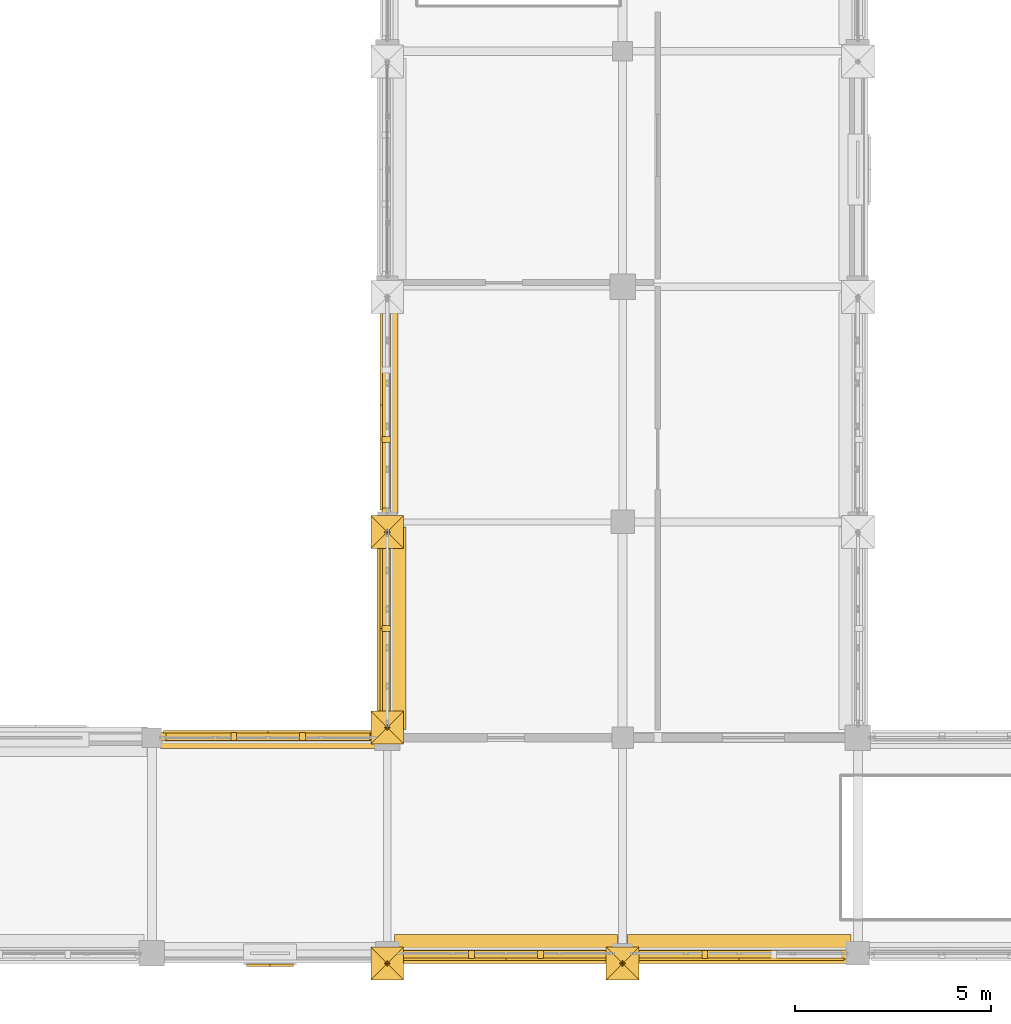
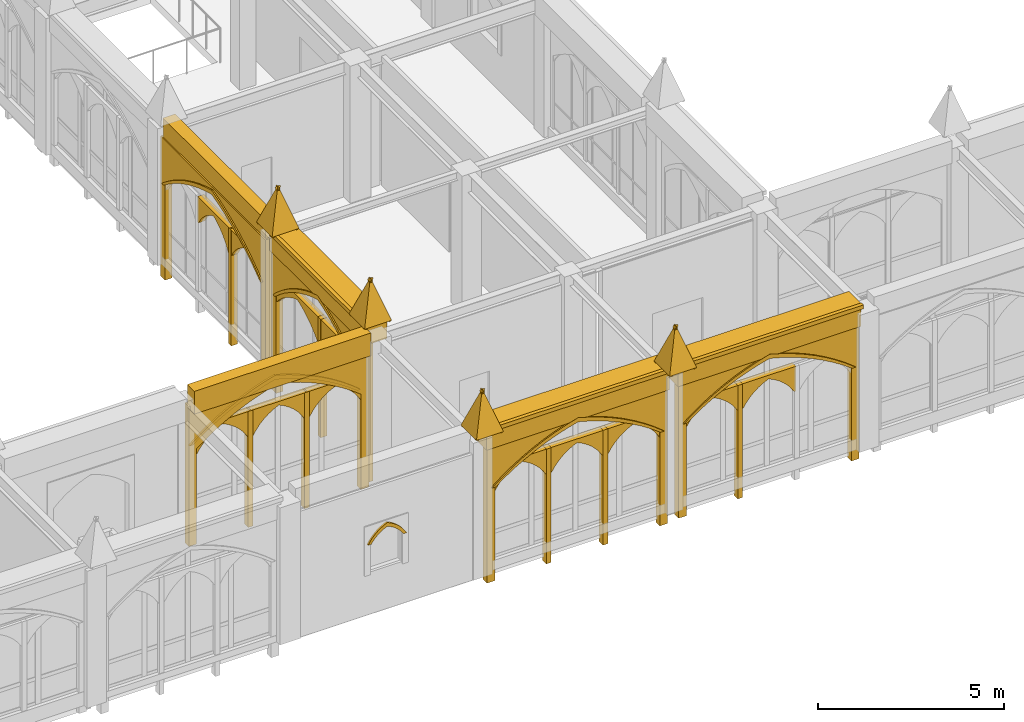
# One storey, part 117 of 143: 54 coverings.
"""IFC4 building model written with IfcOpenShell, lengths in metres."""

from ifc_helpers import new_model, si_unit, direction, frame, origin, origin_2d, place, context, subcontext, project, spatial, polyline, rectangle, outline, extrude, material, type_object, element, save


model = new_model("IFC4")

# Units and contexts
model_context = context("Model", 3, precision=1e-05, world=origin(), true_north=direction((0.0, 1.0)))
body_context = subcontext(model_context, "Body", "Model", "MODEL_VIEW")
ifc_project = project(units=[si_unit("LENGTHUNIT", "METRE"), si_unit("AREAUNIT", "SQUARE_METRE"), si_unit("VOLUMEUNIT", "CUBIC_METRE"), si_unit("PLANEANGLEUNIT", "RADIAN"), si_unit("MASSUNIT", "GRAM", prefix="KILO")], contexts=[model_context])

# Site, building, storey
site_placement = place(None, origin())
site = spatial("IfcSite", under=ifc_project, at=site_placement, CompositionType="ELEMENT")
building_placement = place(site_placement, origin())
building = spatial("IfcBuilding", under=site, at=building_placement, Name="Cumevento Cable Car Station", CompositionType="ELEMENT")
storey_placement = place(building_placement, frame((0.0, 0.0, 9.0)))
storey = spatial("IfcBuildingStorey", under=building, at=storey_placement, Name="L03", CompositionType="ELEMENT", Elevation=9.0)

# Coverings
ifc_material = material(Name="Gnaisse Facoidal Stone Ashlar 85 MPa", Category="masonry")
covering_type = type_object("IfcCoveringType", Name="Gnaisse Ashlar Cladding CV-CL01", PredefinedType="CLADDING", material=ifc_material)
for number, where, z_axis, x_axis, name in (
    (1, (57.580078125, 4.159912109375, 4.8701171875), (0.0, 0.951573760476, 0.30742052367), (1.0, 0.0, 0.0), "Gothic Buttress Pinnacle Spire Facet 1 bt:58.0:4.0"),
    (2, (58.419921875, 4.159912109375, 4.8701171875), (0.951573760476, 0.0, 0.30742052367), (0.0, -1.0, 0.0), "Gothic Buttress Pinnacle Spire Facet 2 bt:58.0:4.0"),
    (3, (58.419921875, 3.320068359375, 4.8701171875), (0.0, -0.951573760476, 0.30742052367), (-1.0, 0.0, 0.0), "Gothic Buttress Pinnacle Spire Facet 3 bt:58.0:4.0"),
    (4, (57.580078125, 3.320068359375, 4.8701171875), (-0.951573760476, 0.0, 0.30742052367), (0.0, 1.0, 0.0), "Gothic Buttress Pinnacle Spire Facet 4 bt:58.0:4.0"),
    (5, (58.419921875, 9.340087890625, 4.8701171875), (0.0, -0.951573760476, 0.30742052367), (-1.0, 0.0, 0.0), "Gothic Buttress Pinnacle Spire Facet 1 bt:58.0:9.5"),
    (6, (57.580078125, 9.340087890625, 4.8701171875), (-0.951573760476, 0.0, 0.30742052367), (0.0, 1.0, 0.0), "Gothic Buttress Pinnacle Spire Facet 2 bt:58.0:9.5"),
    (7, (57.580078125, 10.179931640625, 4.8701171875), (0.0, 0.951573760476, 0.30742052367), (1.0, 0.0, 0.0), "Gothic Buttress Pinnacle Spire Facet 3 bt:58.0:9.5"),
    (8, (58.419921875, 10.179931640625, 4.8701171875), (0.951573760476, 0.0, 0.30742052367), (0.0, -1.0, 0.0), "Gothic Buttress Pinnacle Spire Facet 4 bt:58.0:9.5"),
    (9, (57.580078125, 15.159912109375, 4.8701171875), (0.0, 0.951573760476, 0.30742052367), (1.0, 0.0, 0.0), "Gothic Buttress Pinnacle Spire Facet 1 bt:58.0:15.0"),
    (10, (58.419921875, 15.159912109375, 4.8701171875), (0.951573760476, 0.0, 0.30742052367), (0.0, -1.0, 0.0), "Gothic Buttress Pinnacle Spire Facet 2 bt:58.0:15.0"),
    (11, (58.419921875, 14.320068359375, 4.8701171875), (0.0, -0.951573760476, 0.30742052367), (-1.0, 0.0, 0.0), "Gothic Buttress Pinnacle Spire Facet 3 bt:58.0:15.0"),
    (12, (57.580078125, 14.320068359375, 4.8701171875), (-0.951573760476, 0.0, 0.30742052367), (0.0, 1.0, 0.0), "Gothic Buttress Pinnacle Spire Facet 4 bt:58.0:15.0"),
    (13, (63.580078125, 4.159912109375, 4.8701171875), (0.0, 0.951573760476, 0.30742052367), (1.0, 0.0, 0.0), "Gothic Buttress Pinnacle Spire Facet 1 bt:64.0:4.0"),
    (14, (64.419921875, 4.159912109375, 4.8701171875), (0.951573760476, 0.0, 0.30742052367), (0.0, -1.0, 0.0), "Gothic Buttress Pinnacle Spire Facet 2 bt:64.0:4.0"),
    (15, (64.419921875, 3.320068359375, 4.8701171875), (0.0, -0.951573760476, 0.30742052367), (-1.0, 0.0, 0.0), "Gothic Buttress Pinnacle Spire Facet 3 bt:64.0:4.0"),
    (16, (63.580078125, 3.320068359375, 4.8701171875), (-0.951573760476, 0.0, 0.30742052367), (0.0, 1.0, 0.0), "Gothic Buttress Pinnacle Spire Facet 4 bt:64.0:4.0"),
):
    element("IfcCovering", number, at=place(storey_placement, frame(where, z_axis=z_axis, x_axis=x_axis)), inside=storey, type_object=covering_type, Name=name, PredefinedType="CLADDING", context=body_context, shape_type="SweptSolid", body=[
        extrude(outline(polyline([(0.0, 0.0), (0.83984375, 0.0), (0.419921875, -1.3659526370817139), (0.0, 0.0)])), origin(), (0.0, 0.0, -1.0), 0.0849609375),
    ])
covering_1_placement = place(storey_placement, frame((61.02490234375, 4.14990234375, 4.032958984375), z_axis=(0.0, 0.0, 1.0), x_axis=(-1.0, 0.0, 0.0)))
element("IfcCovering", 17, at=covering_1_placement, inside=storey, type_object=covering_type, Name="Gothic Stone Spandrel Stringcourse sc:0593", PredefinedType="CLADDING", context=body_context, shape_type="SweptSolid", body=[
    extrude(rectangle(XDim=5.68994140625, YDim=0.659912109375, at=origin_2d()), origin(), (0.0, 0.0, 1.0), 0.7470703125),
])
covering_2_placement = place(storey_placement, frame((61.02490234375, 3.79248046875, 4.650146484375), z_axis=(0.0, 0.0, 1.0), x_axis=(-1.0, 0.0, 0.0)))
element("IfcCovering", 18, at=covering_2_placement, inside=storey, type_object=covering_type, Name="Gothic Cornice Dripstone Lip sc:0593", PredefinedType="CLADDING", context=body_context, shape_type="SweptSolid", body=[
    extrude(rectangle(XDim=5.72998046875, YDim=0.114990234375, at=origin_2d()), origin(), (0.0, 0.0, 1.0), 0.1298828125),
])
covering_3_placement = place(storey_placement, frame((66.97509765625, 4.14990234375, 4.032958984375), z_axis=(0.0, 0.0, 1.0), x_axis=(-1.0, 0.0, 0.0)))
element("IfcCovering", 19, at=covering_3_placement, inside=storey, type_object=covering_type, Name="Gothic Stone Spandrel Stringcourse sc:0594", PredefinedType="CLADDING", context=body_context, shape_type="SweptSolid", body=[
    extrude(rectangle(XDim=5.68994140625, YDim=0.659912109375, at=origin_2d()), origin(), (0.0, 0.0, 1.0), 0.7470703125),
])
covering_4_placement = place(storey_placement, frame((66.97509765625, 3.79248046875, 4.650146484375), z_axis=(0.0, 0.0, 1.0), x_axis=(-1.0, 0.0, 0.0)))
element("IfcCovering", 20, at=covering_4_placement, inside=storey, type_object=covering_type, Name="Gothic Cornice Dripstone Lip sc:0594", PredefinedType="CLADDING", context=body_context, shape_type="SweptSolid", body=[
    extrude(rectangle(XDim=5.72998046875, YDim=0.114990234375, at=origin_2d()), origin(), (0.0, 0.0, 1.0), 0.1298828125),
])
covering_5_placement = place(storey_placement, frame((54.96240234375, 9.409912109375, 4.032958984375), z_axis=(0.0, 0.0, 1.0), x_axis=(1.0, 0.0, 0.0)))
element("IfcCovering", 21, at=covering_5_placement, inside=storey, type_object=covering_type, Name="Gothic Stone Spandrel Stringcourse sc:0598", PredefinedType="CLADDING", context=body_context, shape_type="SweptSolid", body=[
    extrude(rectangle(XDim=5.485107421875, YDim=0.3798828125, at=origin_2d()), origin(), (0.0, 0.0, 1.0), 0.7470703125),
])
covering_6_placement = place(storey_placement, frame((58.14990234375, 12.28759765625, 4.032958984375), z_axis=(0.0, 0.0, 1.0), x_axis=(0.0, 1.0, 0.0)))
element("IfcCovering", 22, at=covering_6_placement, inside=storey, type_object=covering_type, Name="Gothic Stone Spandrel Stringcourse sc:0602", PredefinedType="CLADDING", context=body_context, shape_type="SweptSolid", body=[
    extrude(rectangle(XDim=5.1650390625, YDim=0.659912109375, at=origin_2d()), origin(), (0.0, 0.0, 1.0), 0.7470703125),
])
covering_7_placement = place(storey_placement, frame((57.79248046875, 12.28759765625, 4.650146484375), z_axis=(0.0, 0.0, 1.0), x_axis=(0.0, 1.0, 0.0)))
element("IfcCovering", 23, at=covering_7_placement, inside=storey, type_object=covering_type, Name="Gothic Cornice Dripstone Lip sc:0602", PredefinedType="CLADDING", context=body_context, shape_type="SweptSolid", body=[
    extrude(rectangle(XDim=5.205078125, YDim=0.114990234375, at=origin_2d()), origin(), (0.0, 0.0, 1.0), 0.1298828125),
])
covering_8_placement = place(storey_placement, frame((58.090087890625, 17.987548828125, 4.032958984375), z_axis=(0.0, 0.0, 1.0), x_axis=(0.0, 1.0, 0.0)))
element("IfcCovering", 24, at=covering_8_placement, inside=storey, type_object=covering_type, Name="Gothic Stone Spandrel Stringcourse sc:0603", PredefinedType="CLADDING", context=body_context, shape_type="SweptSolid", body=[
    extrude(rectangle(XDim=5.534912109375, YDim=0.3798828125, at=origin_2d()), origin(), (0.0, 0.0, 1.0), 0.7470703125),
])
placement_1 = place(storey_placement, frame((52.25, 9.5, -0.419921875), z_axis=(0.0, 0.0, 1.0), x_axis=(1.0, 0.0, 0.0)))
element("IfcCovering", 25, at=placement_1, inside=storey, type_object=covering_type, Name="Gothic Ogival Pointed-Arch Stone Spandrel cw_ogival:0074", PredefinedType="CLADDING", context=body_context, shape_type="SweptSolid", body=[
    extrude(outline(polyline([(-0.080078125, 0.0), (-0.080078125, 4.593017578125), (5.5048828125, 4.593017578125), (5.5048828125, 0.0), (5.264892578125, 0.0), (5.264892578125, 3.133056640625), (4.978271484375, 3.347900390625), (4.680419921875, 3.547607421875), (4.37255859375, 3.73095703125), (4.055419921875, 3.898193359375), (3.72998046875, 4.048095703125), (3.39697265625, 4.180908203125), (3.0576171875, 4.2958984375), (2.71240234375, 4.39306640625), (2.367431640625, 4.2958984375), (2.028076171875, 4.180908203125), (1.695068359375, 4.048095703125), (1.36962890625, 3.898193359375), (1.052490234375, 3.73095703125), (0.74462890625, 3.547607421875), (0.44677734375, 3.347900390625), (0.159912109375, 3.133056640625), (0.159912109375, 0.0), (-0.080078125, 0.0)])), frame((0.0, 0.139892578125, 0.0), z_axis=(0.0, -1.0, 0.0), x_axis=(1.0, 0.0, 0.0)), (0.0, 0.0, 1.0), 0.219970703125),
])
covering_10_placement = place(storey_placement, frame((52.25, 9.5, 2.713134765625), z_axis=(0.0, 0.0, 1.0), x_axis=(1.0, 0.0, 0.0)))
element("IfcCovering", 26, at=covering_10_placement, inside=storey, type_object=covering_type, Name="Gothic Pointed Archivolt Hood Moulding cw_ogival:0074", PredefinedType="CLADDING", context=body_context, shape_type="SweptSolid", body=[
    extrude(outline(polyline([(0.159912109375, 0.0), (0.44677734375, 0.21484375), (0.74462890625, 0.41455078125), (1.052490234375, 0.597900390625), (1.36962890625, 0.76513671875), (1.695068359375, 0.9150390625), (2.028076171875, 1.0478515625), (2.367431640625, 1.162841796875), (2.71240234375, 1.260009765625), (3.0576171875, 1.162841796875), (3.39697265625, 1.0478515625), (3.72998046875, 0.9150390625), (4.055419921875, 0.76513671875), (4.37255859375, 0.597900390625), (4.680419921875, 0.41455078125), (4.978271484375, 0.21484375), (5.264892578125, 0.0), (5.375, 0.0), (5.079833984375, 0.237548828125), (4.77197265625, 0.45849609375), (4.452392578125, 0.661865234375), (4.121826171875, 0.847412109375), (3.781494140625, 1.013916015625), (3.432373046875, 1.16162109375), (3.07568359375, 1.28955078125), (2.71240234375, 1.3974609375), (2.349365234375, 1.28955078125), (1.99267578125, 1.16162109375), (1.6435546875, 1.013916015625), (1.30322265625, 0.847412109375), (0.97265625, 0.661865234375), (0.653076171875, 0.45849609375), (0.34521484375, 0.237548828125), (0.050048828125, 0.0), (0.159912109375, 0.0)])), frame((0.0, 0.181884765625, 0.0), z_axis=(0.0, -1.0, 0.0), x_axis=(1.0, 0.0, 0.0)), (0.0, 0.0, 1.0), 0.06689453125),
])
element("IfcCovering", 27, at=placement_1, inside=storey, type_object=covering_type, Name="Gothic Bifora Stone Colonnette cw_ogival:0074 #1", PredefinedType="CLADDING", context=body_context, shape_type="SweptSolid", body=[
    extrude(outline(polyline([(1.76171875, -0.02001953125), (1.91162109375, -0.02001953125), (1.91162109375, 3.7880859375), (1.76171875, 3.7880859375), (1.76171875, -0.02001953125)])), frame((0.0, 0.1279296875, 0.0), z_axis=(0.0, -1.0, 0.0), x_axis=(1.0, 0.0, 0.0)), (0.0, 0.0, 1.0), 0.205078125),
])
element("IfcCovering", 28, at=placement_1, inside=storey, type_object=covering_type, Name="Gothic Bifora Stone Colonnette cw_ogival:0074 #2", PredefinedType="CLADDING", context=body_context, shape_type="SweptSolid", body=[
    extrude(outline(polyline([(3.513427734375, -0.02001953125), (3.663330078125, -0.02001953125), (3.663330078125, 3.7880859375), (3.513427734375, 3.7880859375), (3.513427734375, -0.02001953125)])), frame((0.0, 0.1279296875, 0.0), z_axis=(0.0, -1.0, 0.0), x_axis=(1.0, 0.0, 0.0)), (0.0, 0.0, 1.0), 0.205078125),
])
for number, where, z_axis, x_axis, name in (
    (29, (52.3798828125, 9.5, 2.533203125), (0.0, 0.0, 1.0), (1.0, 0.0, 0.0), "Gothic Ogival Pointed-Arch Stone Spandrel cw_ogival:0074:sub:0"),
    (30, (54.131591796875, 9.5, 2.533203125), (0.0, 0.0, 1.0), (1.0, 0.0, 0.0), "Gothic Ogival Pointed-Arch Stone Spandrel cw_ogival:0074:sub:1"),
    (31, (55.88330078125, 9.5, 2.533203125), (0.0, 0.0, 1.0), (1.0, 0.0, 0.0), "Gothic Ogival Pointed-Arch Stone Spandrel cw_ogival:0074:sub:2"),
):
    element("IfcCovering", number, at=place(storey_placement, frame(where, z_axis=z_axis, x_axis=x_axis)), inside=storey, type_object=covering_type, Name=name, PredefinedType="CLADDING", context=body_context, shape_type="SweptSolid", body=[
        extrude(outline(polyline([(-0.02001953125, 0.0), (-0.02001953125, 0.835205078125), (1.681640625, 0.835205078125), (1.681640625, 0.0), (1.62158203125, 0.0), (1.5263671875, 0.154052734375), (1.41455078125, 0.296142578125), (1.287353515625, 0.425048828125), (1.146240234375, 0.538818359375), (0.99365234375, 0.6357421875), (0.830810546875, 0.715087890625), (0.66796875, 0.6357421875), (0.515380859375, 0.538818359375), (0.374267578125, 0.425048828125), (0.2470703125, 0.296142578125), (0.13525390625, 0.154052734375), (0.0400390625, 0.0), (-0.02001953125, 0.0)])), frame((0.0, 0.1240234375, 0.0), z_axis=(0.0, -1.0, 0.0), x_axis=(1.0, 0.0, 0.0)), (0.0, 0.0, 1.0), 0.199951171875),
    ])
placement_2 = place(storey_placement, frame((63.75, 4.0, -0.3701171875), z_axis=(0.0, 0.0, 1.0), x_axis=(-1.0, 0.0, 0.0)))
element("IfcCovering", 32, at=placement_2, inside=storey, type_object=covering_type, Name="Gothic Ogival Pointed-Arch Stone Spandrel cw_ogival:0075", PredefinedType="CLADDING", context=body_context, shape_type="SweptSolid", body=[
    extrude(outline(polyline([(-0.080078125, 0.0), (-0.080078125, 4.54296875), (5.530029296875, 4.54296875), (5.530029296875, 0.0), (5.2900390625, 0.0), (5.2900390625, 3.10107421875), (5.00048828125, 3.313232421875), (4.70068359375, 3.510009765625), (4.390869140625, 3.69091796875), (4.072021484375, 3.85546875), (3.7451171875, 4.00341796875), (3.4111328125, 4.13427734375), (3.07080078125, 4.24755859375), (2.72509765625, 4.343017578125), (2.379150390625, 4.24755859375), (2.038818359375, 4.13427734375), (1.704833984375, 4.00341796875), (1.3779296875, 3.85546875), (1.05908203125, 3.69091796875), (0.749267578125, 3.510009765625), (0.449462890625, 3.313232421875), (0.159912109375, 3.10107421875), (0.159912109375, 0.0), (-0.080078125, 0.0)])), frame((0.0, 0.139892578125, 0.0), z_axis=(0.0, -1.0, 0.0), x_axis=(1.0, 0.0, 0.0)), (0.0, 0.0, 1.0), 0.219970703125),
])
covering_14_placement = place(storey_placement, frame((63.75, 4.0, 2.731201171875), z_axis=(0.0, 0.0, 1.0), x_axis=(-1.0, 0.0, 0.0)))
element("IfcCovering", 33, at=covering_14_placement, inside=storey, type_object=covering_type, Name="Gothic Pointed Archivolt Hood Moulding cw_ogival:0075", PredefinedType="CLADDING", context=body_context, shape_type="SweptSolid", body=[
    extrude(outline(polyline([(0.159912109375, 0.0), (0.449462890625, 0.212158203125), (0.749267578125, 0.408935546875), (1.05908203125, 0.58984375), (1.3779296875, 0.75439453125), (1.704833984375, 0.90234375), (2.038818359375, 1.033203125), (2.379150390625, 1.146484375), (2.72509765625, 1.241943359375), (3.07080078125, 1.146484375), (3.4111328125, 1.033203125), (3.7451171875, 0.90234375), (4.072021484375, 0.75439453125), (4.390869140625, 0.58984375), (4.70068359375, 0.408935546875), (5.00048828125, 0.212158203125), (5.2900390625, 0.0), (5.39990234375, 0.0), (5.102294921875, 0.23486328125), (4.7919921875, 0.452880859375), (4.470458984375, 0.65380859375), (4.13818359375, 0.836669921875), (3.796630859375, 1.001220703125), (3.446533203125, 1.146728515625), (3.0888671875, 1.27294921875), (2.72509765625, 1.37939453125), (2.361083984375, 1.27294921875), (2.00341796875, 1.146728515625), (1.6533203125, 1.001220703125), (1.311767578125, 0.836669921875), (0.9794921875, 0.65380859375), (0.657958984375, 0.452880859375), (0.34765625, 0.23486328125), (0.050048828125, 0.0), (0.159912109375, 0.0)])), frame((0.0, 0.181884765625, 0.0), z_axis=(0.0, -1.0, 0.0), x_axis=(1.0, 0.0, 0.0)), (0.0, 0.0, 1.0), 0.06689453125),
])
element("IfcCovering", 34, at=placement_2, inside=storey, type_object=covering_type, Name="Gothic Bifora Stone Colonnette cw_ogival:0075 #1", PredefinedType="CLADDING", context=body_context, shape_type="SweptSolid", body=[
    extrude(outline(polyline([(1.77001953125, -0.02001953125), (1.919921875, -0.02001953125), (1.919921875, 3.746826171875), (1.77001953125, 3.746826171875), (1.77001953125, -0.02001953125)])), frame((0.0, 0.1279296875, 0.0), z_axis=(0.0, -1.0, 0.0), x_axis=(1.0, 0.0, 0.0)), (0.0, 0.0, 1.0), 0.205078125),
])
element("IfcCovering", 35, at=placement_2, inside=storey, type_object=covering_type, Name="Gothic Bifora Stone Colonnette cw_ogival:0075 #2", PredefinedType="CLADDING", context=body_context, shape_type="SweptSolid", body=[
    extrude(outline(polyline([(3.530029296875, -0.02001953125), (3.679931640625, -0.02001953125), (3.679931640625, 3.746826171875), (3.530029296875, 3.746826171875), (3.530029296875, -0.02001953125)])), frame((0.0, 0.1279296875, 0.0), z_axis=(0.0, -1.0, 0.0), x_axis=(1.0, 0.0, 0.0)), (0.0, 0.0, 1.0), 0.205078125),
])
for number, where, z_axis, x_axis, name in (
    (36, (63.6201171875, 4.0, 2.551025390625), (0.0, 0.0, 1.0), (-1.0, 0.0, 0.0), "Gothic Ogival Pointed-Arch Stone Spandrel cw_ogival:0075:sub:0"),
    (37, (61.860107421875, 4.0, 2.551025390625), (0.0, 0.0, 1.0), (-1.0, 0.0, 0.0), "Gothic Ogival Pointed-Arch Stone Spandrel cw_ogival:0075:sub:1"),
    (38, (60.10009765625, 4.0, 2.551025390625), (0.0, 0.0, 1.0), (-1.0, 0.0, 0.0), "Gothic Ogival Pointed-Arch Stone Spandrel cw_ogival:0075:sub:2"),
):
    element("IfcCovering", number, at=place(storey_placement, frame(where, z_axis=z_axis, x_axis=x_axis)), inside=storey, type_object=covering_type, Name=name, PredefinedType="CLADDING", context=body_context, shape_type="SweptSolid", body=[
        extrude(outline(polyline([(-0.02001953125, 0.0), (-0.02001953125, 0.82568359375), (1.68994140625, 0.82568359375), (1.68994140625, 0.0), (1.6298828125, 0.0), (1.533203125, 0.15234375), (1.419921875, 0.292724609375), (1.2919921875, 0.419921875), (1.150634765625, 0.531982421875), (0.99755859375, 0.627685546875), (0.8349609375, 0.705810546875), (0.67236328125, 0.627685546875), (0.519287109375, 0.531982421875), (0.3779296875, 0.419921875), (0.25, 0.292724609375), (0.13671875, 0.15234375), (0.0400390625, 0.0), (-0.02001953125, 0.0)])), frame((0.0, 0.1240234375, 0.0), z_axis=(0.0, -1.0, 0.0), x_axis=(1.0, 0.0, 0.0)), (0.0, 0.0, 1.0), 0.199951171875),
    ])
placement_3 = place(storey_placement, frame((69.699951171875, 4.0, -0.320068359375), z_axis=(0.0, 0.0, 1.0), x_axis=(-1.0, 0.0, 0.0)))
element("IfcCovering", 39, at=placement_3, inside=storey, type_object=covering_type, Name="Gothic Ogival Pointed-Arch Stone Spandrel cw_ogival:0076", PredefinedType="CLADDING", context=body_context, shape_type="SweptSolid", body=[
    extrude(outline(polyline([(-0.080078125, 0.0), (-0.080078125, 4.492919921875), (5.530029296875, 4.492919921875), (5.530029296875, 0.0), (5.2900390625, 0.0), (5.2900390625, 3.069091796875), (4.999755859375, 3.2783203125), (4.69921875, 3.47216796875), (4.38916015625, 3.650634765625), (4.0703125, 3.812744140625), (3.74365234375, 3.95849609375), (3.409912109375, 4.08740234375), (3.070068359375, 4.198974609375), (2.72509765625, 4.29296875), (2.3798828125, 4.198974609375), (2.0400390625, 4.08740234375), (1.706298828125, 3.95849609375), (1.379638671875, 3.812744140625), (1.060791015625, 3.650634765625), (0.750732421875, 3.47216796875), (0.4501953125, 3.2783203125), (0.159912109375, 3.069091796875), (0.159912109375, 0.0), (-0.080078125, 0.0)])), frame((0.0, 0.139892578125, 0.0), z_axis=(0.0, -1.0, 0.0), x_axis=(1.0, 0.0, 0.0)), (0.0, 0.0, 1.0), 0.219970703125),
])
covering_18_placement = place(storey_placement, frame((69.699951171875, 4.0, 2.7490234375), z_axis=(0.0, 0.0, 1.0), x_axis=(-1.0, 0.0, 0.0)))
element("IfcCovering", 40, at=covering_18_placement, inside=storey, type_object=covering_type, Name="Gothic Pointed Archivolt Hood Moulding cw_ogival:0076", PredefinedType="CLADDING", context=body_context, shape_type="SweptSolid", body=[
    extrude(outline(polyline([(0.159912109375, 0.0), (0.4501953125, 0.209228515625), (0.750732421875, 0.403076171875), (1.060791015625, 0.58154296875), (1.379638671875, 0.74365234375), (1.706298828125, 0.889404296875), (2.0400390625, 1.018310546875), (2.3798828125, 1.1298828125), (2.72509765625, 1.223876953125), (3.070068359375, 1.1298828125), (3.409912109375, 1.018310546875), (3.74365234375, 0.889404296875), (4.0703125, 0.74365234375), (4.38916015625, 0.58154296875), (4.69921875, 0.403076171875), (4.999755859375, 0.209228515625), (5.2900390625, 0.0), (5.39990234375, 0.0), (5.101318359375, 0.23193359375), (4.79052734375, 0.447265625), (4.46875, 0.6455078125), (4.136474609375, 0.826171875), (3.794921875, 0.98828125), (3.4453125, 1.132080078125), (3.088134765625, 1.25634765625), (2.72509765625, 1.361328125), (2.36181640625, 1.25634765625), (2.004638671875, 1.132080078125), (1.655029296875, 0.98828125), (1.3134765625, 0.826171875), (0.981201171875, 0.6455078125), (0.659423828125, 0.447265625), (0.3486328125, 0.23193359375), (0.050048828125, 0.0), (0.159912109375, 0.0)])), frame((0.0, 0.181884765625, 0.0), z_axis=(0.0, -1.0, 0.0), x_axis=(1.0, 0.0, 0.0)), (0.0, 0.0, 1.0), 0.06689453125),
])
element("IfcCovering", 41, at=placement_3, inside=storey, type_object=covering_type, Name="Gothic Bifora Stone Colonnette cw_ogival:0076 #2", PredefinedType="CLADDING", context=body_context, shape_type="SweptSolid", body=[
    extrude(outline(polyline([(3.530029296875, -0.02001953125), (3.679931640625, -0.02001953125), (3.679931640625, 3.70556640625), (3.530029296875, 3.70556640625), (3.530029296875, -0.02001953125)])), frame((0.0, 0.1279296875, 0.0), z_axis=(0.0, -1.0, 0.0), x_axis=(1.0, 0.0, 0.0)), (0.0, 0.0, 1.0), 0.205078125),
])
for number, where, z_axis, x_axis, name in (
    (42, (67.81005859375, 4.0, 2.569091796875), (0.0, 0.0, 1.0), (-1.0, 0.0, 0.0), "Gothic Ogival Pointed-Arch Stone Spandrel cw_ogival:0076:sub:1"),
    (43, (66.050048828125, 4.0, 2.569091796875), (0.0, 0.0, 1.0), (-1.0, 0.0, 0.0), "Gothic Ogival Pointed-Arch Stone Spandrel cw_ogival:0076:sub:2"),
):
    element("IfcCovering", number, at=place(storey_placement, frame(where, z_axis=z_axis, x_axis=x_axis)), inside=storey, type_object=covering_type, Name=name, PredefinedType="CLADDING", context=body_context, shape_type="SweptSolid", body=[
        extrude(outline(polyline([(-0.02001953125, 0.0), (-0.02001953125, 0.81640625), (1.68994140625, 0.81640625), (1.68994140625, 0.0), (1.6298828125, 0.0), (1.5322265625, 0.150390625), (1.418701171875, 0.2890625), (1.29052734375, 0.41455078125), (1.1494140625, 0.525146484375), (0.996826171875, 0.619384765625), (0.8349609375, 0.6962890625), (0.673095703125, 0.619384765625), (0.5205078125, 0.525146484375), (0.37939453125, 0.41455078125), (0.251220703125, 0.2890625), (0.1376953125, 0.150390625), (0.0400390625, 0.0), (-0.02001953125, 0.0)])), frame((0.0, 0.1240234375, 0.0), z_axis=(0.0, -1.0, 0.0), x_axis=(1.0, 0.0, 0.0)), (0.0, 0.0, 1.0), 0.199951171875),
    ])
placement_4 = place(storey_placement, frame((58.0, 9.824951171875, -0.52001953125), z_axis=(0.0, 0.0, 1.0), x_axis=(0.0, 1.0, 0.0)))
element("IfcCovering", 44, at=placement_4, inside=storey, type_object=covering_type, Name="Gothic Ogival Pointed-Arch Stone Spandrel cw_ogival:0080", PredefinedType="CLADDING", context=body_context, shape_type="SweptSolid", body=[
    extrude(outline(polyline([(-0.080078125, 0.0), (-0.080078125, 4.693115234375), (5.0048828125, 4.693115234375), (5.0048828125, 0.0), (4.764892578125, 0.0), (4.764892578125, 3.197021484375), (4.51416015625, 3.41650390625), (4.2509765625, 3.620849609375), (3.97607421875, 3.809326171875), (3.690673828125, 3.9814453125), (3.3955078125, 4.13623046875), (3.091552734375, 4.2734375), (2.7802734375, 4.392333984375), (2.46240234375, 4.492919921875), (2.144775390625, 4.392333984375), (1.83349609375, 4.2734375), (1.529541015625, 4.13623046875), (1.234375, 3.9814453125), (0.948974609375, 3.809326171875), (0.674072265625, 3.620849609375), (0.410888671875, 3.41650390625), (0.159912109375, 3.197021484375), (0.159912109375, 0.0), (-0.080078125, 0.0)])), frame((0.0, 0.139892578125, 0.0), z_axis=(0.0, -1.0, 0.0), x_axis=(1.0, 0.0, 0.0)), (0.0, 0.0, 1.0), 0.219970703125),
])
covering_21_placement = place(storey_placement, frame((58.0, 9.824951171875, 2.677001953125), z_axis=(0.0, 0.0, 1.0), x_axis=(0.0, 1.0, 0.0)))
element("IfcCovering", 45, at=covering_21_placement, inside=storey, type_object=covering_type, Name="Gothic Pointed Archivolt Hood Moulding cw_ogival:0080", PredefinedType="CLADDING", context=body_context, shape_type="SweptSolid", body=[
    extrude(outline(polyline([(0.159912109375, 0.0), (0.410888671875, 0.219482421875), (0.674072265625, 0.423828125), (0.948974609375, 0.6123046875), (1.234375, 0.784423828125), (1.529541015625, 0.939208984375), (1.83349609375, 1.076416015625), (2.144775390625, 1.1953125), (2.46240234375, 1.2958984375), (2.7802734375, 1.1953125), (3.091552734375, 1.076416015625), (3.3955078125, 0.939208984375), (3.690673828125, 0.784423828125), (3.97607421875, 0.6123046875), (4.2509765625, 0.423828125), (4.51416015625, 0.219482421875), (4.764892578125, 0.0), (4.875, 0.0), (4.6162109375, 0.241943359375), (4.343017578125, 0.467529296875), (4.056396484375, 0.676025390625), (3.757568359375, 0.8662109375), (3.447509765625, 1.03759765625), (3.127685546875, 1.189697265625), (2.798828125, 1.32177734375), (2.46240234375, 1.433349609375), (2.126220703125, 1.32177734375), (1.79736328125, 1.189697265625), (1.4775390625, 1.03759765625), (1.16748046875, 0.8662109375), (0.86865234375, 0.676025390625), (0.58203125, 0.467529296875), (0.308837890625, 0.241943359375), (0.050048828125, 0.0), (0.159912109375, 0.0)])), frame((0.0, 0.181884765625, 0.0), z_axis=(0.0, -1.0, 0.0), x_axis=(1.0, 0.0, 0.0)), (0.0, 0.0, 1.0), 0.06689453125),
])
element("IfcCovering", 46, at=placement_4, inside=storey, type_object=covering_type, Name="Gothic Bifora Stone Colonnette cw_ogival:0080 #1", PredefinedType="CLADDING", context=body_context, shape_type="SweptSolid", body=[
    extrude(outline(polyline([(2.387451171875, -0.02001953125), (2.53759765625, -0.02001953125), (2.53759765625, 3.87109375), (2.387451171875, 3.87109375), (2.387451171875, -0.02001953125)])), frame((0.0, 0.1279296875, 0.0), z_axis=(0.0, -1.0, 0.0), x_axis=(1.0, 0.0, 0.0)), (0.0, 0.0, 1.0), 0.205078125),
])
for number, where, z_axis, x_axis, name in (
    (47, (58.0, 9.955078125, 2.4970703125), (0.0, 0.0, 1.0), (0.0, 1.0, 0.0), "Gothic Ogival Pointed-Arch Stone Spandrel cw_ogival:0080:sub:0"),
    (48, (58.0, 12.33251953125, 2.4970703125), (0.0, 0.0, 1.0), (0.0, 1.0, 0.0), "Gothic Ogival Pointed-Arch Stone Spandrel cw_ogival:0080:sub:1"),
):
    element("IfcCovering", number, at=place(storey_placement, frame(where, z_axis=z_axis, x_axis=x_axis)), inside=storey, type_object=covering_type, Name=name, PredefinedType="CLADDING", context=body_context, shape_type="SweptSolid", body=[
        extrude(outline(polyline([(-0.02001953125, 0.0), (-0.02001953125, 0.85400390625), (2.3076171875, 0.85400390625), (2.3076171875, 0.0), (2.24755859375, 0.0), (2.09375, 0.162109375), (1.926025390625, 0.309814453125), (1.74560546875, 0.44189453125), (1.553955078125, 0.55712890625), (1.35302734375, 0.65478515625), (1.143798828125, 0.73388671875), (0.9345703125, 0.65478515625), (0.733642578125, 0.55712890625), (0.5419921875, 0.44189453125), (0.361572265625, 0.309814453125), (0.19384765625, 0.162109375), (0.0400390625, 0.0), (-0.02001953125, 0.0)])), frame((0.0, 0.1240234375, 0.0), z_axis=(0.0, -1.0, 0.0), x_axis=(1.0, 0.0, 0.0)), (0.0, 0.0, 1.0), 0.199951171875),
    ])
placement_5 = place(storey_placement, frame((58.0, 15.25, -0.419921875), z_axis=(0.0, 0.0, 1.0), x_axis=(0.0, 1.0, 0.0)))
element("IfcCovering", 49, at=placement_5, inside=storey, type_object=covering_type, Name="Gothic Ogival Pointed-Arch Stone Spandrel cw_ogival:0082", PredefinedType="CLADDING", context=body_context, shape_type="SweptSolid", body=[
    extrude(outline(polyline([(-0.080078125, 0.0), (-0.080078125, 4.593017578125), (5.554931640625, 4.593017578125), (5.554931640625, 0.0), (5.31494140625, 0.0), (5.31494140625, 3.133056640625), (5.02490234375, 3.34814453125), (4.723876953125, 3.547607421875), (4.41259765625, 3.731201171875), (4.092529296875, 3.898193359375), (3.763916015625, 4.04833984375), (3.427978515625, 4.18115234375), (3.08544921875, 4.296142578125), (2.737548828125, 4.39306640625), (2.3896484375, 4.296142578125), (2.047119140625, 4.18115234375), (1.711181640625, 4.04833984375), (1.382568359375, 3.898193359375), (1.0625, 3.731201171875), (0.751220703125, 3.547607421875), (0.4501953125, 3.34814453125), (0.159912109375, 3.133056640625), (0.159912109375, 0.0), (-0.080078125, 0.0)])), frame((0.0, 0.139892578125, 0.0), z_axis=(0.0, -1.0, 0.0), x_axis=(1.0, 0.0, 0.0)), (0.0, 0.0, 1.0), 0.219970703125),
])
covering_24_placement = place(storey_placement, frame((58.0, 15.25, 2.713134765625), z_axis=(0.0, 0.0, 1.0), x_axis=(0.0, 1.0, 0.0)))
element("IfcCovering", 50, at=covering_24_placement, inside=storey, type_object=covering_type, Name="Gothic Pointed Archivolt Hood Moulding cw_ogival:0082", PredefinedType="CLADDING", context=body_context, shape_type="SweptSolid", body=[
    extrude(outline(polyline([(0.159912109375, 0.0), (0.4501953125, 0.215087890625), (0.751220703125, 0.41455078125), (1.0625, 0.59814453125), (1.382568359375, 0.76513671875), (1.711181640625, 0.915283203125), (2.047119140625, 1.048095703125), (2.3896484375, 1.1630859375), (2.737548828125, 1.260009765625), (3.08544921875, 1.1630859375), (3.427978515625, 1.048095703125), (3.763916015625, 0.915283203125), (4.092529296875, 0.76513671875), (4.41259765625, 0.59814453125), (4.723876953125, 0.41455078125), (5.02490234375, 0.215087890625), (5.31494140625, 0.0), (5.425048828125, 0.0), (5.12646484375, 0.23779296875), (4.815185546875, 0.458740234375), (4.492431640625, 0.662109375), (4.15869140625, 0.847412109375), (3.8154296875, 1.01416015625), (3.46337890625, 1.16162109375), (3.103759765625, 1.28955078125), (2.737548828125, 1.3974609375), (2.371337890625, 1.28955078125), (2.01171875, 1.16162109375), (1.65966796875, 1.01416015625), (1.31640625, 0.847412109375), (0.982666015625, 0.662109375), (0.659912109375, 0.458740234375), (0.3486328125, 0.23779296875), (0.050048828125, 0.0), (0.159912109375, 0.0)])), frame((0.0, 0.181884765625, 0.0), z_axis=(0.0, -1.0, 0.0), x_axis=(1.0, 0.0, 0.0)), (0.0, 0.0, 1.0), 0.06689453125),
])
element("IfcCovering", 51, at=placement_5, inside=storey, type_object=covering_type, Name="Gothic Bifora Stone Colonnette cw_ogival:0082 #1", PredefinedType="CLADDING", context=body_context, shape_type="SweptSolid", body=[
    extrude(outline(polyline([(1.7783203125, -0.02001953125), (1.92822265625, -0.02001953125), (1.92822265625, 3.7880859375), (1.7783203125, 3.7880859375), (1.7783203125, -0.02001953125)])), frame((0.0, 0.1279296875, 0.0), z_axis=(0.0, -1.0, 0.0), x_axis=(1.0, 0.0, 0.0)), (0.0, 0.0, 1.0), 0.205078125),
])
for number, where, z_axis, x_axis, name in (
    (52, (58.0, 15.3798828125, 2.533203125), (0.0, 0.0, 1.0), (0.0, 1.0, 0.0), "Gothic Ogival Pointed-Arch Stone Spandrel cw_ogival:0082:sub:0"),
    (53, (58.0, 17.1484375, 2.533203125), (0.0, 0.0, 1.0), (0.0, 1.0, 0.0), "Gothic Ogival Pointed-Arch Stone Spandrel cw_ogival:0082:sub:1"),
):
    element("IfcCovering", number, at=place(storey_placement, frame(where, z_axis=z_axis, x_axis=x_axis)), inside=storey, type_object=covering_type, Name=name, PredefinedType="CLADDING", context=body_context, shape_type="SweptSolid", body=[
        extrude(outline(polyline([(-0.02001953125, 0.0), (-0.02001953125, 0.835205078125), (1.6982421875, 0.835205078125), (1.6982421875, 0.0), (1.638427734375, 0.0), (1.541259765625, 0.154052734375), (1.427978515625, 0.29638671875), (1.29931640625, 0.42529296875), (1.156982421875, 0.538818359375), (1.0029296875, 0.635986328125), (0.839111328125, 0.715087890625), (0.67529296875, 0.635986328125), (0.521240234375, 0.538818359375), (0.37890625, 0.42529296875), (0.250244140625, 0.29638671875), (0.136962890625, 0.154052734375), (0.0400390625, 0.0), (-0.02001953125, 0.0)])), frame((0.0, 0.1240234375, 0.0), z_axis=(0.0, -1.0, 0.0), x_axis=(1.0, 0.0, 0.0)), (0.0, 0.0, 1.0), 0.199951171875),
    ])
covering_26_placement = place(storey_placement, frame((55.652587890625, 4.0, 2.322021484375), z_axis=(0.0, 0.0, 1.0), x_axis=(-1.0, 0.0, 0.0)))
element("IfcCovering", 54, at=covering_26_placement, inside=storey, type_object=covering_type, Name="Gothic Pointed Archivolt Hood Moulding op_ogival:0228:1", PredefinedType="CLADDING", context=body_context, shape_type="SweptSolid", body=[
    extrude(outline(polyline([(0.139892578125, 0.0), (0.193359375, 0.078125), (0.25390625, 0.151123046875), (0.320556640625, 0.21826171875), (0.393310546875, 0.27880859375), (0.47119140625, 0.332763671875), (0.5537109375, 0.379150390625), (0.639892578125, 0.41796875), (0.726318359375, 0.379150390625), (0.808837890625, 0.332763671875), (0.88671875, 0.27880859375), (0.95947265625, 0.21826171875), (1.026123046875, 0.151123046875), (1.086669921875, 0.078125), (1.139892578125, 0.0), (1.239013671875, 0.0), (1.177978515625, 0.1005859375), (1.107666015625, 0.194580078125), (1.0283203125, 0.281494140625), (0.941162109375, 0.3603515625), (0.846923828125, 0.430419921875), (0.74609375, 0.4912109375), (0.639892578125, 0.541748046875), (0.533935546875, 0.4912109375), (0.43310546875, 0.430419921875), (0.3388671875, 0.3603515625), (0.251708984375, 0.281494140625), (0.17236328125, 0.194580078125), (0.10205078125, 0.1005859375), (0.041015625, 0.0), (0.139892578125, 0.0)])), frame((0.0, 0.33251953125, 0.0), z_axis=(0.0, -1.0, 0.0), x_axis=(1.0, 0.0, 0.0)), (0.0, 0.0, 1.0), 0.06689453125),
])

save(model, "model.ifc")
